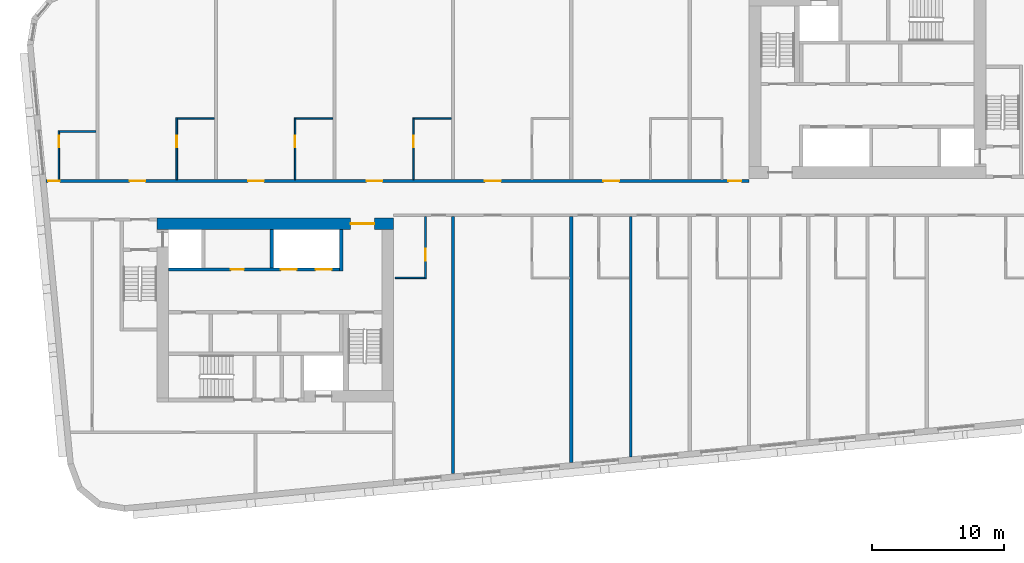
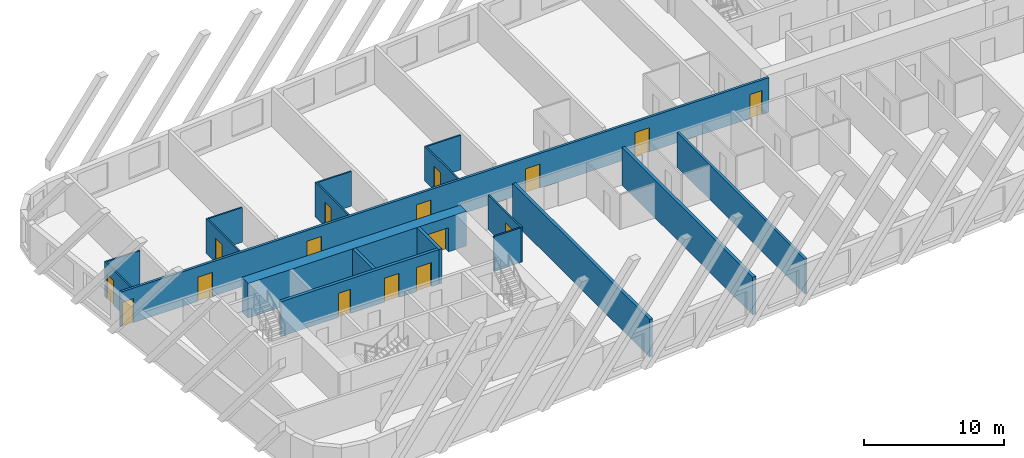
# One storey, part 3 of 12: 18 walls, 16 doors, 16 openings.
"""IFC4 building model written with IfcOpenShell, lengths in metres."""

from ifc_helpers import new_model, si_unit, direction, frame, frame_2d, origin, place, context, subcontext, project, spatial, rectangle, extrude, material, layer, layer_set, type_object, element, fill, save


model = new_model("IFC4")

# Units and contexts
model_context = context("Model", 3, precision=1e-05, world=origin(), true_north=direction((0.0, 1.0)))
body_context = subcontext(model_context, "Body", "Model", "MODEL_VIEW")
ifc_project = project(units=[si_unit("LENGTHUNIT", "METRE"), si_unit("AREAUNIT", "SQUARE_METRE"), si_unit("VOLUMEUNIT", "CUBIC_METRE"), si_unit("PLANEANGLEUNIT", "RADIAN"), si_unit("MASSUNIT", "GRAM", prefix="KILO")], contexts=[model_context])

# Site, building, storey
site_placement = place(None, origin())
site = spatial("IfcSite", under=ifc_project, at=site_placement, CompositionType="ELEMENT")
building_placement = place(site_placement, origin())
building = spatial("IfcBuilding", under=site, at=building_placement, Name="Kajstack Hotel Tower", CompositionType="ELEMENT")
storey_placement = place(building_placement, frame((0.0, 0.0, 278.39990234375)))
storey = spatial("IfcBuildingStorey", under=building, at=storey_placement, Name="L69", CompositionType="ELEMENT", Elevation=278.39990234375)

# Wall, opening, door
ifc_material_1 = material(Name="Concrete C60/75", Category="concrete")
ifc_layer_1 = layer(ifc_material_1, 0.89990234375)
ifc_layer_set_1 = layer_set([ifc_layer_1], Name="Core wall 900")
wall_type_1 = type_object("IfcWallType", Name="Core wall 900", PredefinedType="SHEAR", material=ifc_layer_set_1)
wall_1_placement = place(storey_placement, frame((-31.5, -1.949951171875, 0.0), z_axis=(0.0, 0.0, 1.0), x_axis=(1.0, 0.0, 0.0)))
wall_1 = element("IfcWall", 1, at=wall_1_placement, inside=storey, type_object=wall_type_1, Name="Core wall W RN", PredefinedType="SHEAR", context=body_context, shape_type="SweptSolid", body=[
    extrude(rectangle(XDim=18.0, YDim=0.89990234375, at=frame_2d((9.0, 0.0))), origin(), (0.0, 0.0, 1.0), 3.02001953125),
])
opening_1_placement = place(wall_1_placement, frame((14.72509765625, 0.0, 0.0)))
opening_1 = element("IfcOpeningElement", 2, at=opening_1_placement, cuts=wall_1, Name="Opening 69W05", PredefinedType="OPENING", context=body_context, shape_type="SweptSolid", body=[
    extrude(rectangle(XDim=1.800048828125, YDim=2.10009765625, at=frame_2d((0.89990234375, 1.050048828125))), frame((0.0, 0.4599609375, 0.0), z_axis=(0.0, -1.0, 0.0), x_axis=(1.0, 0.0, 0.0)), (0.0, 0.0, 1.0), 0.919921875),
])
ifc_material_2 = material(Name="Glazed steel frame, fire-rated glass", Category="steel")
door_type_1 = type_object("IfcDoorType", Name="Lobby double door 1800", OperationType="DOUBLE_DOOR_DOUBLE_SWING", PredefinedType="DOOR", material=ifc_material_2)
door_1_placement = place(opening_1_placement, origin())
door_1 = element("IfcDoor", 3, at=door_1_placement, inside=storey, type_object=door_type_1, Name="Door 69W05", OperationType="DOUBLE_DOOR_DOUBLE_SWING", OverallHeight=2.10009765625, OverallWidth=1.800048828125, PredefinedType="DOOR", context=body_context, shape_type="SweptSolid", body=[
    extrude(rectangle(XDim=1.800048828125, YDim=2.10009765625, at=frame_2d((0.89990234375, 1.050048828125))), frame((0.0, 0.02490234375, 0.0), z_axis=(0.0, -1.0, 0.0), x_axis=(1.0, 0.0, 0.0)), (0.0, 0.0, 1.0), 0.050048828125),
])
fill(opening_1, door_1)

# Wall, openings, doors
ifc_material_3 = material(Name="Gypsum board on steel studs, mineral wool", Category="steel")
ifc_layer_2 = layer(ifc_material_3, 0.199951171875)
ifc_layer_set_2 = layer_set([ifc_layer_2], Name="Corridor wall 200")
wall_type_2 = type_object("IfcWallType", Name="Corridor wall 200", PredefinedType="PARTITIONING", material=ifc_layer_set_2)
wall_2_placement = place(storey_placement, frame((-39.908935546875, 1.300048828125, 0.0), z_axis=(0.0, 0.0, 1.0), x_axis=(1.0, 0.0, 0.0)))
wall_2 = element("IfcWall", 4, at=wall_2_placement, inside=storey, type_object=wall_type_2, Name="G-wall-L69-003", PredefinedType="PARTITIONING", context=body_context, shape_type="SweptSolid", body=[
    extrude(rectangle(XDim=53.408935546875, YDim=0.199951171875, at=frame_2d((26.70458984375, 0.0))), origin(), (0.0, 0.0, 1.0), 3.02001953125),
])
opening_2_placement = place(wall_2_placement, frame((0.14990234375, 0.0, 0.0)))
opening_2 = element("IfcOpeningElement", 5, at=opening_2_placement, cuts=wall_2, Name="Opening 69001", PredefinedType="OPENING", context=body_context, shape_type="SweptSolid", body=[
    extrude(rectangle(XDim=0.89990234375, YDim=2.10009765625, at=frame_2d((0.449951171875, 1.050048828125))), frame((0.0, 0.10986328125, 0.0), z_axis=(0.0, -1.0, 0.0), x_axis=(1.0, 0.0, 0.0)), (0.0, 0.0, 1.0), 0.219970703125),
])
opening_3_placement = place(wall_2_placement, frame((6.346923828125, 0.0, 0.0)))
opening_3 = element("IfcOpeningElement", 6, at=opening_3_placement, cuts=wall_2, Name="Opening 69003", PredefinedType="OPENING", context=body_context, shape_type="SweptSolid", body=[
    extrude(rectangle(XDim=1.199951171875, YDim=2.10009765625, at=frame_2d((0.60009765625, 1.050048828125))), frame((0.0, 0.10986328125, 0.0), z_axis=(0.0, -1.0, 0.0), x_axis=(1.0, 0.0, 0.0)), (0.0, 0.0, 1.0), 0.219970703125),
])
opening_4_placement = place(wall_2_placement, frame((15.346923828125, 0.0, 0.0)))
opening_4 = element("IfcOpeningElement", 7, at=opening_4_placement, cuts=wall_2, Name="Opening 69005", PredefinedType="OPENING", context=body_context, shape_type="SweptSolid", body=[
    extrude(rectangle(XDim=1.199951171875, YDim=2.10009765625, at=frame_2d((0.60009765625, 1.050048828125))), frame((0.0, 0.10986328125, 0.0), z_axis=(0.0, -1.0, 0.0), x_axis=(1.0, 0.0, 0.0)), (0.0, 0.0, 1.0), 0.219970703125),
])
opening_5_placement = place(wall_2_placement, frame((24.345947265625, 0.0, 0.0)))
opening_5 = element("IfcOpeningElement", 8, at=opening_5_placement, cuts=wall_2, Name="Opening 69007", PredefinedType="OPENING", context=body_context, shape_type="SweptSolid", body=[
    extrude(rectangle(XDim=1.199951171875, YDim=2.10009765625, at=frame_2d((0.60009765625, 1.050048828125))), frame((0.0, 0.10986328125, 0.0), z_axis=(0.0, -1.0, 0.0), x_axis=(1.0, 0.0, 0.0)), (0.0, 0.0, 1.0), 0.219970703125),
])
opening_6_placement = place(wall_2_placement, frame((33.345947265625, 0.0, 0.0)))
opening_6 = element("IfcOpeningElement", 9, at=opening_6_placement, cuts=wall_2, Name="Opening 69009", PredefinedType="OPENING", context=body_context, shape_type="SweptSolid", body=[
    extrude(rectangle(XDim=1.199951171875, YDim=2.10009765625, at=frame_2d((0.60009765625, 1.050048828125))), frame((0.0, 0.10986328125, 0.0), z_axis=(0.0, -1.0, 0.0), x_axis=(1.0, 0.0, 0.0)), (0.0, 0.0, 1.0), 0.219970703125),
])
opening_7_placement = place(wall_2_placement, frame((42.345947265625, 0.0, 0.0)))
opening_7 = element("IfcOpeningElement", 10, at=opening_7_placement, cuts=wall_2, Name="Opening 69011", PredefinedType="OPENING", context=body_context, shape_type="SweptSolid", body=[
    extrude(rectangle(XDim=1.199951171875, YDim=2.10009765625, at=frame_2d((0.60009765625, 1.050048828125))), frame((0.0, 0.10986328125, 0.0), z_axis=(0.0, -1.0, 0.0), x_axis=(1.0, 0.0, 0.0)), (0.0, 0.0, 1.0), 0.219970703125),
])
opening_8_placement = place(wall_2_placement, frame((51.833984375, 0.0, 0.0)))
opening_8 = element("IfcOpeningElement", 11, at=opening_8_placement, cuts=wall_2, Name="Opening 69013", PredefinedType="OPENING", context=body_context, shape_type="SweptSolid", body=[
    extrude(rectangle(XDim=1.0, YDim=2.10009765625, at=frame_2d((0.5, 1.050048828125))), frame((0.0, 0.10986328125, 0.0), z_axis=(0.0, -1.0, 0.0), x_axis=(1.0, 0.0, 0.0)), (0.0, 0.0, 1.0), 0.219970703125),
])
ifc_material_4 = material(Name="Oak veneer on timber core, fire-rated leaf", Category="wood")
door_type_2 = type_object("IfcDoorType", Name="Flat entrance door 1000", OperationType="SINGLE_SWING_LEFT", PredefinedType="DOOR", material=ifc_material_4)
door_2_placement = place(opening_8_placement, origin())
door_2 = element("IfcDoor", 12, at=door_2_placement, inside=storey, type_object=door_type_2, Name="G-door-L69-13", OperationType="SINGLE_SWING_RIGHT", OverallHeight=2.10009765625, OverallWidth=1.0, PredefinedType="DOOR", context=body_context, shape_type="SweptSolid", body=[
    extrude(rectangle(XDim=1.0, YDim=2.10009765625, at=frame_2d((0.5, 1.050048828125))), frame((0.0, 0.02490234375, 0.0), z_axis=(0.0, -1.0, 0.0), x_axis=(1.0, 0.0, 0.0)), (0.0, 0.0, 1.0), 0.050048828125),
])
fill(opening_8, door_2)
door_type_3 = type_object("IfcDoorType", Name="Flat entrance door 1200", OperationType="SINGLE_SWING_LEFT", PredefinedType="DOOR", material=ifc_material_4)
door_3_placement = place(opening_3_placement, origin())
door_3 = element("IfcDoor", 13, at=door_3_placement, inside=storey, type_object=door_type_3, Name="G-door-L69-03", OperationType="SINGLE_SWING_LEFT", OverallHeight=2.10009765625, OverallWidth=1.199951171875, PredefinedType="DOOR", context=body_context, shape_type="SweptSolid", body=[
    extrude(rectangle(XDim=1.199951171875, YDim=2.10009765625, at=frame_2d((0.60009765625, 1.050048828125))), frame((0.0, 0.02490234375, 0.0), z_axis=(0.0, -1.0, 0.0), x_axis=(1.0, 0.0, 0.0)), (0.0, 0.0, 1.0), 0.050048828125),
])
fill(opening_3, door_3)
door_4_placement = place(opening_4_placement, origin())
door_4 = element("IfcDoor", 14, at=door_4_placement, inside=storey, type_object=door_type_3, Name="G-door-L69-05", OperationType="SINGLE_SWING_RIGHT", OverallHeight=2.10009765625, OverallWidth=1.199951171875, PredefinedType="DOOR", context=body_context, shape_type="SweptSolid", body=[
    extrude(rectangle(XDim=1.199951171875, YDim=2.10009765625, at=frame_2d((0.60009765625, 1.050048828125))), frame((0.0, 0.02490234375, 0.0), z_axis=(0.0, -1.0, 0.0), x_axis=(1.0, 0.0, 0.0)), (0.0, 0.0, 1.0), 0.050048828125),
])
fill(opening_4, door_4)
door_5_placement = place(opening_5_placement, origin())
door_5 = element("IfcDoor", 15, at=door_5_placement, inside=storey, type_object=door_type_3, Name="G-door-L69-07", OperationType="SINGLE_SWING_RIGHT", OverallHeight=2.10009765625, OverallWidth=1.199951171875, PredefinedType="DOOR", context=body_context, shape_type="SweptSolid", body=[
    extrude(rectangle(XDim=1.199951171875, YDim=2.10009765625, at=frame_2d((0.60009765625, 1.050048828125))), frame((0.0, 0.02490234375, 0.0), z_axis=(0.0, -1.0, 0.0), x_axis=(1.0, 0.0, 0.0)), (0.0, 0.0, 1.0), 0.050048828125),
])
fill(opening_5, door_5)
door_6_placement = place(opening_6_placement, origin())
door_6 = element("IfcDoor", 16, at=door_6_placement, inside=storey, type_object=door_type_3, Name="G-door-L69-09", OperationType="SINGLE_SWING_RIGHT", OverallHeight=2.10009765625, OverallWidth=1.199951171875, PredefinedType="DOOR", context=body_context, shape_type="SweptSolid", body=[
    extrude(rectangle(XDim=1.199951171875, YDim=2.10009765625, at=frame_2d((0.60009765625, 1.050048828125))), frame((0.0, 0.02490234375, 0.0), z_axis=(0.0, -1.0, 0.0), x_axis=(1.0, 0.0, 0.0)), (0.0, 0.0, 1.0), 0.050048828125),
])
fill(opening_6, door_6)
door_7_placement = place(opening_7_placement, origin())
door_7 = element("IfcDoor", 17, at=door_7_placement, inside=storey, type_object=door_type_3, Name="G-door-L69-11", OperationType="SINGLE_SWING_LEFT", OverallHeight=2.10009765625, OverallWidth=1.199951171875, PredefinedType="DOOR", context=body_context, shape_type="SweptSolid", body=[
    extrude(rectangle(XDim=1.199951171875, YDim=2.10009765625, at=frame_2d((0.60009765625, 1.050048828125))), frame((0.0, 0.02490234375, 0.0), z_axis=(0.0, -1.0, 0.0), x_axis=(1.0, 0.0, 0.0)), (0.0, 0.0, 1.0), 0.050048828125),
])
fill(opening_7, door_7)
ifc_material_5 = material(Name="Painted timber door leaf", Category="wood")
door_type_4 = type_object("IfcDoorType", Name="Room door 900", OperationType="SINGLE_SWING_LEFT", PredefinedType="DOOR", material=ifc_material_5)
door_8_placement = place(opening_2_placement, origin())
door_8 = element("IfcDoor", 18, at=door_8_placement, inside=storey, type_object=door_type_4, Name="G-door-L69-01", OperationType="SINGLE_SWING_LEFT", OverallHeight=2.10009765625, OverallWidth=0.89990234375, PredefinedType="DOOR", context=body_context, shape_type="SweptSolid", body=[
    extrude(rectangle(XDim=0.89990234375, YDim=2.10009765625, at=frame_2d((0.449951171875, 1.050048828125))), frame((0.0, 0.02490234375, 0.0), z_axis=(0.0, -1.0, 0.0), x_axis=(1.0, 0.0, 0.0)), (0.0, 0.0, 1.0), 0.050048828125),
])
fill(opening_2, door_8)

# Wall
ifc_material_6 = material(Name="Twin-frame gypsum board on steel studs, mineral wool", Category="steel")
ifc_layer_3 = layer(ifc_material_6, 0.199951171875)
ifc_layer_set_3 = layer_set([ifc_layer_3], Name="Demising wall 200")
wall_type_3 = type_object("IfcWallType", Name="Demising wall 200", PredefinedType="PARTITIONING", material=ifc_layer_set_3)
wall_3_placement = place(storey_placement, frame((4.5, -19.6630859375, 0.0), z_axis=(0.0, 0.0, 1.0), x_axis=(0.0, 1.0, 0.0)))
element("IfcWall", 19, at=wall_3_placement, inside=storey, type_object=wall_type_3, Name="G-wall-L69-023", PredefinedType="PARTITIONING", context=body_context, shape_type="SweptSolid", body=[
    extrude(rectangle(XDim=18.26318359375, YDim=0.199951171875, at=frame_2d((9.131591796875, 0.0))), origin(), (0.0, 0.0, 1.0), 3.02001953125),
])

# Wall, opening, door
ifc_material_7 = material(Name="Gypsum board and tiled backer on steel studs", Category="steel")
ifc_layer_4 = layer(ifc_material_7, 0.125)
ifc_layer_set_4 = layer_set([ifc_layer_4], Name="En-suite wall 125")
wall_type_4 = type_object("IfcWallType", Name="En-suite wall 125", PredefinedType="PARTITIONING", material=ifc_layer_set_4)
wall_4_placement = place(storey_placement, frame((-38.93994140625, 1.39990234375, 0.0), z_axis=(0.0, 0.0, 1.0), x_axis=(0.0, 1.0, 0.0)))
wall_4 = element("IfcWall", 20, at=wall_4_placement, inside=storey, type_object=wall_type_4, Name="G-wall-L69-004", PredefinedType="PARTITIONING", context=body_context, shape_type="SweptSolid", body=[
    extrude(rectangle(XDim=3.72509765625, YDim=0.125, at=frame_2d((1.862548828125, 0.0))), origin(), (0.0, 0.0, 1.0), 3.02001953125),
])
opening_9_placement = place(wall_4_placement, frame((2.449951171875, 0.0, 0.0)))
opening_9 = element("IfcOpeningElement", 21, at=opening_9_placement, cuts=wall_4, Name="Opening 69002", PredefinedType="OPENING", context=body_context, shape_type="SweptSolid", body=[
    extrude(rectangle(XDim=0.89990234375, YDim=2.10009765625, at=frame_2d((0.449951171875, 1.050048828125))), frame((0.0, 0.072509765625, 0.0), z_axis=(0.0, -1.0, 0.0), x_axis=(1.0, 0.0, 0.0)), (0.0, 0.0, 1.0), 0.14501953125),
])
door_9_placement = place(opening_9_placement, origin())
door_9 = element("IfcDoor", 22, at=door_9_placement, inside=storey, type_object=door_type_4, Name="G-door-L69-02", OperationType="SINGLE_SWING_RIGHT", OverallHeight=2.10009765625, OverallWidth=0.89990234375, PredefinedType="DOOR", context=body_context, shape_type="SweptSolid", body=[
    extrude(rectangle(XDim=0.89990234375, YDim=2.10009765625, at=frame_2d((0.449951171875, 1.050048828125))), frame((0.0, 0.02490234375, 0.0), z_axis=(0.0, -1.0, 0.0), x_axis=(1.0, 0.0, 0.0)), (0.0, 0.0, 1.0), 0.050048828125),
])
fill(opening_9, door_9)

# Wall
wall_5_placement = place(storey_placement, frame((-38.8779296875, 5.06201171875, 0.0), z_axis=(0.0, 0.0, 1.0), x_axis=(1.0, 0.0, 0.0)))
element("IfcWall", 23, at=wall_5_placement, inside=storey, type_object=wall_type_4, Name="G-wall-L69-005", PredefinedType="PARTITIONING", context=body_context, shape_type="SweptSolid", body=[
    extrude(rectangle(XDim=2.7529296875, YDim=0.125, at=frame_2d((1.37646484375, 0.0))), origin(), (0.0, 0.0, 1.0), 3.02001953125),
])

# Wall, opening, door
wall_6_placement = place(storey_placement, frame((-29.988037109375, 1.39990234375, 0.0), z_axis=(0.0, 0.0, 1.0), x_axis=(0.0, 1.0, 0.0)))
wall_6 = element("IfcWall", 24, at=wall_6_placement, inside=storey, type_object=wall_type_4, Name="G-wall-L69-006", PredefinedType="PARTITIONING", context=body_context, shape_type="SweptSolid", body=[
    extrude(rectangle(XDim=4.72509765625, YDim=0.125, at=frame_2d((2.362548828125, 0.0))), origin(), (0.0, 0.0, 1.0), 3.02001953125),
])
opening_10_placement = place(wall_6_placement, frame((2.449951171875, 0.0, 0.0)))
opening_10 = element("IfcOpeningElement", 25, at=opening_10_placement, cuts=wall_6, Name="Opening 69004", PredefinedType="OPENING", context=body_context, shape_type="SweptSolid", body=[
    extrude(rectangle(XDim=0.89990234375, YDim=2.10009765625, at=frame_2d((0.449951171875, 1.050048828125))), frame((0.0, 0.072509765625, 0.0), z_axis=(0.0, -1.0, 0.0), x_axis=(1.0, 0.0, 0.0)), (0.0, 0.0, 1.0), 0.14501953125),
])
door_10_placement = place(opening_10_placement, origin())
door_10 = element("IfcDoor", 26, at=door_10_placement, inside=storey, type_object=door_type_4, Name="G-door-L69-04", OperationType="SINGLE_SWING_LEFT", OverallHeight=2.10009765625, OverallWidth=0.89990234375, PredefinedType="DOOR", context=body_context, shape_type="SweptSolid", body=[
    extrude(rectangle(XDim=0.89990234375, YDim=2.10009765625, at=frame_2d((0.449951171875, 1.050048828125))), frame((0.0, 0.02490234375, 0.0), z_axis=(0.0, -1.0, 0.0), x_axis=(1.0, 0.0, 0.0)), (0.0, 0.0, 1.0), 0.050048828125),
])
fill(opening_10, door_10)

# Wall
wall_7_placement = place(storey_placement, frame((-29.925048828125, 6.06201171875, 0.0), z_axis=(0.0, 0.0, 1.0), x_axis=(1.0, 0.0, 0.0)))
element("IfcWall", 27, at=wall_7_placement, inside=storey, type_object=wall_type_4, Name="G-wall-L69-007", PredefinedType="PARTITIONING", context=body_context, shape_type="SweptSolid", body=[
    extrude(rectangle(XDim=2.800048828125, YDim=0.125, at=frame_2d((1.39990234375, 0.0))), origin(), (0.0, 0.0, 1.0), 3.02001953125),
])

# Wall, opening, door
wall_8_placement = place(storey_placement, frame((-20.988037109375, 1.39990234375, 0.0), z_axis=(0.0, 0.0, 1.0), x_axis=(0.0, 1.0, 0.0)))
wall_8 = element("IfcWall", 28, at=wall_8_placement, inside=storey, type_object=wall_type_4, Name="G-wall-L69-008", PredefinedType="PARTITIONING", context=body_context, shape_type="SweptSolid", body=[
    extrude(rectangle(XDim=4.72509765625, YDim=0.125, at=frame_2d((2.362548828125, 0.0))), origin(), (0.0, 0.0, 1.0), 3.02001953125),
])
opening_11_placement = place(wall_8_placement, frame((2.449951171875, 0.0, 0.0)))
opening_11 = element("IfcOpeningElement", 29, at=opening_11_placement, cuts=wall_8, Name="Opening 69006", PredefinedType="OPENING", context=body_context, shape_type="SweptSolid", body=[
    extrude(rectangle(XDim=0.89990234375, YDim=2.10009765625, at=frame_2d((0.449951171875, 1.050048828125))), frame((0.0, 0.072509765625, 0.0), z_axis=(0.0, -1.0, 0.0), x_axis=(1.0, 0.0, 0.0)), (0.0, 0.0, 1.0), 0.14501953125),
])
door_11_placement = place(opening_11_placement, origin())
door_11 = element("IfcDoor", 30, at=door_11_placement, inside=storey, type_object=door_type_4, Name="G-door-L69-06", OperationType="SINGLE_SWING_RIGHT", OverallHeight=2.10009765625, OverallWidth=0.89990234375, PredefinedType="DOOR", context=body_context, shape_type="SweptSolid", body=[
    extrude(rectangle(XDim=0.89990234375, YDim=2.10009765625, at=frame_2d((0.449951171875, 1.050048828125))), frame((0.0, 0.02490234375, 0.0), z_axis=(0.0, -1.0, 0.0), x_axis=(1.0, 0.0, 0.0)), (0.0, 0.0, 1.0), 0.050048828125),
])
fill(opening_11, door_11)

# Wall
wall_9_placement = place(storey_placement, frame((-20.925048828125, 6.06201171875, 0.0), z_axis=(0.0, 0.0, 1.0), x_axis=(1.0, 0.0, 0.0)))
element("IfcWall", 31, at=wall_9_placement, inside=storey, type_object=wall_type_4, Name="G-wall-L69-009", PredefinedType="PARTITIONING", context=body_context, shape_type="SweptSolid", body=[
    extrude(rectangle(XDim=2.800048828125, YDim=0.125, at=frame_2d((1.39990234375, 0.0))), origin(), (0.0, 0.0, 1.0), 3.02001953125),
])

# Wall, opening, door
wall_10_placement = place(storey_placement, frame((-11.988037109375, 1.39990234375, 0.0), z_axis=(0.0, 0.0, 1.0), x_axis=(0.0, 1.0, 0.0)))
wall_10 = element("IfcWall", 32, at=wall_10_placement, inside=storey, type_object=wall_type_4, Name="G-wall-L69-010", PredefinedType="PARTITIONING", context=body_context, shape_type="SweptSolid", body=[
    extrude(rectangle(XDim=4.72509765625, YDim=0.125, at=frame_2d((2.362548828125, 0.0))), origin(), (0.0, 0.0, 1.0), 3.02001953125),
])
opening_12_placement = place(wall_10_placement, frame((2.449951171875, 0.0, 0.0)))
opening_12 = element("IfcOpeningElement", 33, at=opening_12_placement, cuts=wall_10, Name="Opening 69008", PredefinedType="OPENING", context=body_context, shape_type="SweptSolid", body=[
    extrude(rectangle(XDim=0.89990234375, YDim=2.10009765625, at=frame_2d((0.449951171875, 1.050048828125))), frame((0.0, 0.072509765625, 0.0), z_axis=(0.0, -1.0, 0.0), x_axis=(1.0, 0.0, 0.0)), (0.0, 0.0, 1.0), 0.14501953125),
])
door_12_placement = place(opening_12_placement, origin())
door_12 = element("IfcDoor", 34, at=door_12_placement, inside=storey, type_object=door_type_4, Name="G-door-L69-08", OperationType="SINGLE_SWING_RIGHT", OverallHeight=2.10009765625, OverallWidth=0.89990234375, PredefinedType="DOOR", context=body_context, shape_type="SweptSolid", body=[
    extrude(rectangle(XDim=0.89990234375, YDim=2.10009765625, at=frame_2d((0.449951171875, 1.050048828125))), frame((0.0, 0.02490234375, 0.0), z_axis=(0.0, -1.0, 0.0), x_axis=(1.0, 0.0, 0.0)), (0.0, 0.0, 1.0), 0.050048828125),
])
fill(opening_12, door_12)

# Wall
wall_11_placement = place(storey_placement, frame((-11.925048828125, 6.06201171875, 0.0), z_axis=(0.0, 0.0, 1.0), x_axis=(1.0, 0.0, 0.0)))
element("IfcWall", 35, at=wall_11_placement, inside=storey, type_object=wall_type_4, Name="G-wall-L69-011", PredefinedType="PARTITIONING", context=body_context, shape_type="SweptSolid", body=[
    extrude(rectangle(XDim=2.800048828125, YDim=0.125, at=frame_2d((1.39990234375, 0.0))), origin(), (0.0, 0.0, 1.0), 3.02001953125),
])

# Wall, opening, door
wall_12_placement = place(storey_placement, frame((-11.087890625, -6.125, 0.0), z_axis=(0.0, 0.0, 1.0), x_axis=(0.0, 1.0, 0.0)))
wall_12 = element("IfcWall", 36, at=wall_12_placement, inside=storey, type_object=wall_type_4, Name="G-wall-L69-019", PredefinedType="PARTITIONING", context=body_context, shape_type="SweptSolid", body=[
    extrude(rectangle(XDim=4.72509765625, YDim=0.125, at=frame_2d((2.362548828125, 0.0))), origin(), (0.0, 0.0, 1.0), 3.02001953125),
])
opening_13_placement = place(wall_12_placement, frame((1.375, 0.0, 0.0)))
opening_13 = element("IfcOpeningElement", 37, at=opening_13_placement, cuts=wall_12, Name="Opening 69016", PredefinedType="OPENING", context=body_context, shape_type="SweptSolid", body=[
    extrude(rectangle(XDim=0.89990234375, YDim=2.10009765625, at=frame_2d((0.449951171875, 1.050048828125))), frame((0.0, 0.072509765625, 0.0), z_axis=(0.0, -1.0, 0.0), x_axis=(1.0, 0.0, 0.0)), (0.0, 0.0, 1.0), 0.14501953125),
])
door_13_placement = place(opening_13_placement, origin())
door_13 = element("IfcDoor", 38, at=door_13_placement, inside=storey, type_object=door_type_4, Name="G-door-L69-16", OperationType="SINGLE_SWING_LEFT", OverallHeight=2.10009765625, OverallWidth=0.89990234375, PredefinedType="DOOR", context=body_context, shape_type="SweptSolid", body=[
    extrude(rectangle(XDim=0.89990234375, YDim=2.10009765625, at=frame_2d((0.449951171875, 1.050048828125))), frame((0.0, 0.02490234375, 0.0), z_axis=(0.0, -1.0, 0.0), x_axis=(1.0, 0.0, 0.0)), (0.0, 0.0, 1.0), 0.050048828125),
])
fill(opening_13, door_13)

# Walls
wall_13_placement = place(storey_placement, frame((-13.39990234375, -6.06201171875, 0.0), z_axis=(0.0, 0.0, 1.0), x_axis=(1.0, 0.0, 0.0)))
element("IfcWall", 39, at=wall_13_placement, inside=storey, type_object=wall_type_4, Name="G-wall-L69-020", PredefinedType="PARTITIONING", context=body_context, shape_type="SweptSolid", body=[
    extrude(rectangle(XDim=2.25, YDim=0.125, at=frame_2d((1.125, 0.0))), origin(), (0.0, 0.0, 1.0), 3.02001953125),
])
ifc_material_8 = material(Name="Concrete C50/60", Category="concrete")
ifc_layer_5 = layer(ifc_material_8, 0.300048828125)
ifc_layer_set_5 = layer_set([ifc_layer_5], Name="Hoistway divider wall 300")
wall_type_5 = type_object("IfcWallType", Name="Hoistway divider wall 300", PredefinedType="SHEAR", material=ifc_layer_set_5)
wall_14_placement = place(storey_placement, frame((-22.77490234375, -5.300048828125, 0.0), z_axis=(0.0, 0.0, 1.0), x_axis=(0.0, 1.0, 0.0)))
element("IfcWall", 40, at=wall_14_placement, inside=storey, type_object=wall_type_5, Name="Core wall W AP2", PredefinedType="SHEAR", context=body_context, shape_type="SweptSolid", body=[
    extrude(rectangle(XDim=2.900146484375, YDim=0.25, at=frame_2d((1.4501953125, 0.0))), origin(), (0.0, 0.0, 1.0), 3.02001953125),
])
ifc_material_9 = material(Name="Concrete C40/50", Category="concrete")
ifc_layer_6 = layer(ifc_material_9, 0.25)
ifc_layer_set_6 = layer_set([ifc_layer_6], Name="RC cross wall 250 C40/50")
wall_type_6 = type_object("IfcWallType", Name="RC cross wall 250 C40/50", PredefinedType="SHEAR", material=ifc_layer_set_6)
wall_15_placement = place(storey_placement, frame((-9.0, -20.9404296875, 0.0), z_axis=(0.0, 0.0, 1.0), x_axis=(0.0, 1.0, 0.0)))
element("IfcWall", 41, at=wall_15_placement, inside=storey, type_object=wall_type_6, Name="S-wall-L69-04", PredefinedType="SHEAR", context=body_context, shape_type="SweptSolid", body=[
    extrude(rectangle(XDim=19.54052734375, YDim=0.25, at=frame_2d((9.770263671875, 0.0))), origin(), (0.0, 0.0, 1.0), 3.300048828125),
])
wall_16_placement = place(storey_placement, frame((0.0, -20.073974609375, 0.0), z_axis=(0.0, 0.0, 1.0), x_axis=(0.0, 1.0, 0.0)))
element("IfcWall", 42, at=wall_16_placement, inside=storey, type_object=wall_type_6, Name="S-wall-L69-06", PredefinedType="SHEAR", context=body_context, shape_type="SweptSolid", body=[
    extrude(rectangle(XDim=18.674072265625, YDim=0.25, at=frame_2d((9.3369140625, 0.0))), origin(), (0.0, 0.0, 1.0), 3.300048828125),
])

# Wall, openings, doors
ifc_layer_7 = layer(ifc_material_8, 0.25)
ifc_layer_set_7 = layer_set([ifc_layer_7], Name="Shaft wall 250")
wall_type_7 = type_object("IfcWallType", Name="Shaft wall 250", PredefinedType="SHEAR", material=ifc_layer_set_7)
wall_17_placement = place(storey_placement, frame((-30.60009765625, -5.425048828125, 0.0), z_axis=(0.0, 0.0, 1.0), x_axis=(1.0, 0.0, 0.0)))
wall_17 = element("IfcWall", 43, at=wall_17_placement, inside=storey, type_object=wall_type_7, Name="Core wall W FA", PredefinedType="SHEAR", context=body_context, shape_type="SweptSolid", body=[
    extrude(rectangle(XDim=13.0, YDim=0.25, at=frame_2d((6.5, 0.0))), origin(), (0.0, 0.0, 1.0), 3.02001953125),
])
opening_14_placement = place(wall_17_placement, frame((8.52490234375, 0.0, 0.0)))
opening_14 = element("IfcOpeningElement", 44, at=opening_14_placement, cuts=wall_17, Name="Opening LD-HR1", PredefinedType="OPENING", context=body_context, shape_type="SweptSolid", body=[
    extrude(rectangle(XDim=1.199951171875, YDim=2.10009765625, at=frame_2d((0.60009765625, 1.050048828125))), frame((0.0, 0.135009765625, 0.0), z_axis=(0.0, -1.0, 0.0), x_axis=(1.0, 0.0, 0.0)), (0.0, 0.0, 1.0), 0.27001953125),
])
opening_15_placement = place(wall_17_placement, frame((11.175048828125, 0.0, 0.0)))
opening_15 = element("IfcOpeningElement", 45, at=opening_15_placement, cuts=wall_17, Name="Opening LD-HR2", PredefinedType="OPENING", context=body_context, shape_type="SweptSolid", body=[
    extrude(rectangle(XDim=1.199951171875, YDim=2.10009765625, at=frame_2d((0.60009765625, 1.050048828125))), frame((0.0, 0.135009765625, 0.0), z_axis=(0.0, -1.0, 0.0), x_axis=(1.0, 0.0, 0.0)), (0.0, 0.0, 1.0), 0.27001953125),
])
opening_16_placement = place(wall_17_placement, frame((4.72509765625, 0.0, 0.0)))
opening_16 = element("IfcOpeningElement", 46, at=opening_16_placement, cuts=wall_17, Name="Opening 69W16", PredefinedType="OPENING", context=body_context, shape_type="SweptSolid", body=[
    extrude(rectangle(XDim=1.0, YDim=2.10009765625, at=frame_2d((0.5, 1.050048828125))), frame((0.0, 0.135009765625, 0.0), z_axis=(0.0, -1.0, 0.0), x_axis=(1.0, 0.0, 0.0)), (0.0, 0.0, 1.0), 0.27001953125),
])
ifc_material_10 = material(Name="Stainless steel", Category="steel")
door_type_5 = type_object("IfcDoorType", Name="Lift landing door 1200", OperationType="SLIDING_TO_LEFT", PredefinedType="DOOR", material=ifc_material_10)
door_14_placement = place(opening_14_placement, origin())
door_14 = element("IfcDoor", 47, at=door_14_placement, inside=storey, type_object=door_type_5, Name="Landing door HR1", OperationType="SLIDING_TO_LEFT", OverallHeight=2.10009765625, OverallWidth=1.199951171875, PredefinedType="DOOR", context=body_context, shape_type="SweptSolid", body=[
    extrude(rectangle(XDim=1.199951171875, YDim=2.10009765625, at=frame_2d((0.60009765625, 1.050048828125))), frame((0.0, 0.02490234375, 0.0), z_axis=(0.0, -1.0, 0.0), x_axis=(1.0, 0.0, 0.0)), (0.0, 0.0, 1.0), 0.050048828125),
])
fill(opening_14, door_14)
door_15_placement = place(opening_15_placement, origin())
door_15 = element("IfcDoor", 48, at=door_15_placement, inside=storey, type_object=door_type_5, Name="Landing door HR2", OperationType="SLIDING_TO_RIGHT", OverallHeight=2.10009765625, OverallWidth=1.199951171875, PredefinedType="DOOR", context=body_context, shape_type="SweptSolid", body=[
    extrude(rectangle(XDim=1.199951171875, YDim=2.10009765625, at=frame_2d((0.60009765625, 1.050048828125))), frame((0.0, 0.02490234375, 0.0), z_axis=(0.0, -1.0, 0.0), x_axis=(1.0, 0.0, 0.0)), (0.0, 0.0, 1.0), 0.050048828125),
])
fill(opening_15, door_15)
ifc_material_11 = material(Name="Timber leaf, fire-rated", Category="wood")
door_type_6 = type_object("IfcDoorType", Name="Service room door 1000", OperationType="SINGLE_SWING_LEFT", PredefinedType="DOOR", material=ifc_material_11)
door_16_placement = place(opening_16_placement, origin())
door_16 = element("IfcDoor", 49, at=door_16_placement, inside=storey, type_object=door_type_6, Name="Door 69W16", OperationType="SINGLE_SWING_RIGHT", OverallHeight=2.10009765625, OverallWidth=1.0, PredefinedType="DOOR", context=body_context, shape_type="SweptSolid", body=[
    extrude(rectangle(XDim=1.0, YDim=2.10009765625, at=frame_2d((0.5, 1.050048828125))), frame((0.0, 0.02490234375, 0.0), z_axis=(0.0, -1.0, 0.0), x_axis=(1.0, 0.0, 0.0)), (0.0, 0.0, 1.0), 0.050048828125),
])
fill(opening_16, door_16)

# Wall
wall_18_placement = place(storey_placement, frame((-17.47509765625, -5.550048828125, 0.0), z_axis=(0.0, 0.0, 1.0), x_axis=(0.0, 1.0, 0.0)))
element("IfcWall", 50, at=wall_18_placement, inside=storey, type_object=wall_type_7, Name="Core wall W AE", PredefinedType="SHEAR", context=body_context, shape_type="SweptSolid", body=[
    extrude(rectangle(XDim=3.150146484375, YDim=0.25, at=frame_2d((1.5751953125, 0.0))), origin(), (0.0, 0.0, 1.0), 3.02001953125),
])

save(model, "model.ifc")
